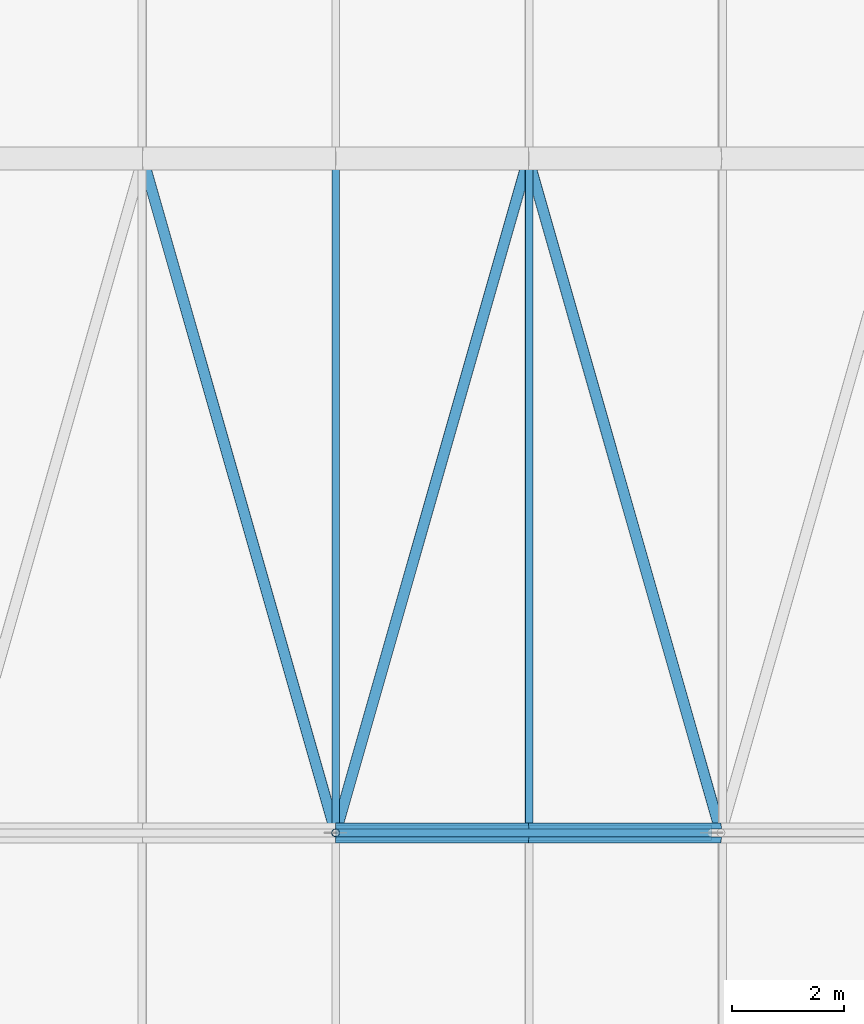
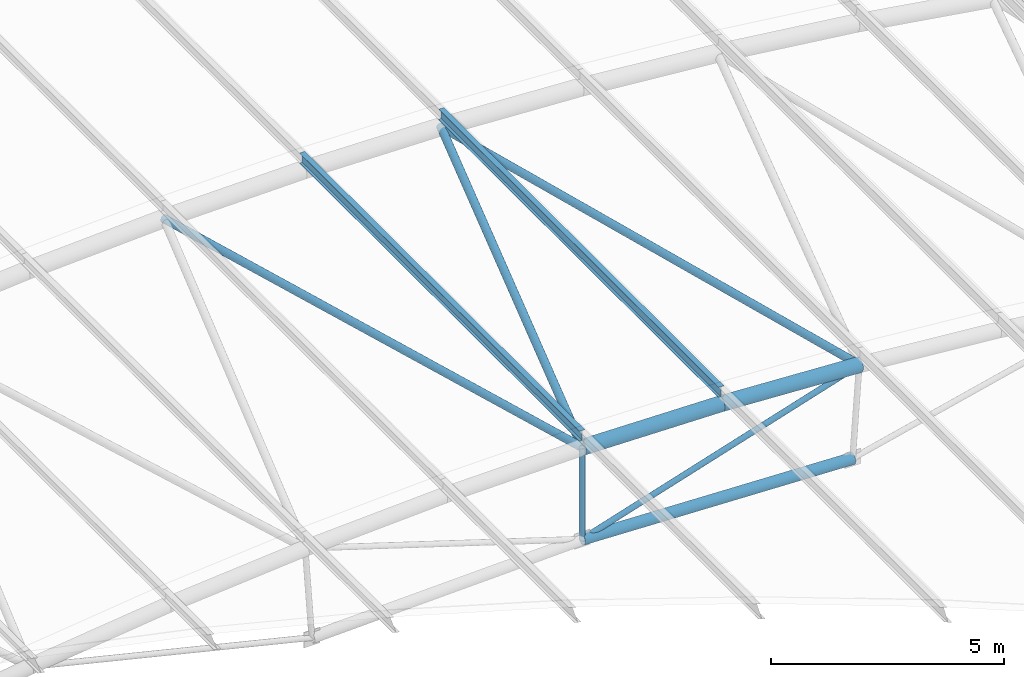
# One storey, part 8 of 91: 10 members.
"""IFC4 building model written with IfcOpenShell, lengths in metres."""

from ifc_helpers import new_model, si_unit, direction, frame, origin, origin_2d, place, context, subcontext, project, spatial, hollow_circle, i_section, extrude, material, material_profile, profile_set, type_object, element, save


model = new_model("IFC4")

# Units and contexts
model_context = context("Model", 3, precision=1e-05, world=origin(), true_north=direction((0.0, 1.0)))
body_context = subcontext(model_context, "Body", "Model", "MODEL_VIEW")
ifc_project = project(units=[si_unit("LENGTHUNIT", "METRE"), si_unit("AREAUNIT", "SQUARE_METRE"), si_unit("VOLUMEUNIT", "CUBIC_METRE"), si_unit("PLANEANGLEUNIT", "RADIAN"), si_unit("MASSUNIT", "GRAM", prefix="KILO")], contexts=[model_context])

# Site, building, storey
site_placement = place(None, origin())
site = spatial("IfcSite", under=ifc_project, at=site_placement, CompositionType="ELEMENT")
building_placement = place(site_placement, origin())
building = spatial("IfcBuilding", under=site, at=building_placement, Name="Ravi Spectrum Wholesale Market", CompositionType="ELEMENT")
storey_placement = place(building_placement, frame((0.0, 0.0, 16.199951171875)))
storey = spatial("IfcBuildingStorey", under=building, at=storey_placement, Name="ROOF PLANT LEVEL", CompositionType="ELEMENT", Elevation=16.199951171875)

# Members
ifc_material_1 = material(Name="Steel S355", Category="steel")
ifc_material_profile_1 = material_profile(ifc_material_1, hollow_circle(Radius=0.06982421875, WallThickness=0.0048828125, at=origin_2d()))
ifc_profile_set_1 = profile_set([ifc_material_profile_1], Name="Steel S355")
member_type_1 = type_object("IfcMemberType", Name="CHS 139.7x5 brace", PredefinedType="BRACE", material=ifc_profile_set_1)
member_1_placement = place(storey_placement, frame((76.857177734375, 66.0, 2.788818359375), z_axis=(-0.953666273238, 0.0, -0.300866480833), x_axis=(0.0, -1.0, 0.0)))
element("IfcMember", 1, at=member_1_placement, inside=storey, type_object=member_type_1, Name="H1-MB-L02-314", PredefinedType="BRACE", context=body_context, shape_type="SweptSolid", body=[
    extrude(hollow_circle(Radius=0.06982421875, WallThickness=0.0048828125, at=origin_2d()), origin(), (0.0, 0.0, 1.0), 7.1904296875),
])
ifc_material_2 = material(Name="Steel S355", Category="steel")
ifc_material_profile_2 = material_profile(ifc_material_2, hollow_circle(Radius=0.06982421875, WallThickness=0.0048828125, at=origin_2d()))
ifc_profile_set_2 = profile_set([ifc_material_profile_2], Name="Steel S355")
member_type_2 = type_object("IfcMemberType", Name="CHS 139.7x5 post", PredefinedType="POST", material=ifc_profile_set_2)
member_2_placement = place(storey_placement, frame((70.0, 66.0, 3.025390625), z_axis=(0.0, 0.0, -1.0), x_axis=(1.0, 0.0, 0.0)))
element("IfcMember", 2, at=member_2_placement, inside=storey, type_object=member_type_2, Name="H1-MB-L02-303", PredefinedType="POST", context=body_context, shape_type="SweptSolid", body=[
    extrude(hollow_circle(Radius=0.06982421875, WallThickness=0.0048828125, at=origin_2d()), origin(), (0.0, 0.0, 1.0), 2.39990234375),
])
ifc_material_3 = material(Name="Steel S355", Category="steel")
ifc_material_profile_3 = material_profile(ifc_material_3, hollow_circle(Radius=0.096923828125, WallThickness=0.00634765625, at=origin_2d()))
ifc_profile_set_3 = profile_set([ifc_material_profile_3], Name="Steel S355")
member_type_3 = type_object("IfcMemberType", Name="CHS 193.7x6.3 brace", PredefinedType="BRACE", material=ifc_profile_set_3)
for number, where, z_axis, x_axis, name in (
    (3, (66.5703125, 78.0, 2.94091796875), (0.274797508773, -0.961478299488, 0.006768218824), (0.961500322321, 0.274803803059, 0.0), "H1-MB-L02-1619"),
    (4, (70.0, 66.0, 3.025390625), (0.274797508773, 0.961478299488, -0.006768218824), (-0.961500322321, 0.274803803059, 0.0), "H1-MB-L02-1620"),
    (5, (73.4296875, 78.0, 2.94091796875), (0.274620635621, -0.961475424321, -0.012186669705), (0.961546828996, 0.274641030523, 0.0), "H1-MB-L02-1621"),
):
    element("IfcMember", number, at=place(storey_placement, frame(where, z_axis=z_axis, x_axis=x_axis)), inside=storey, type_object=member_type_3, Name=name, PredefinedType="BRACE", context=body_context, shape_type="SweptSolid", body=[
        extrude(hollow_circle(Radius=0.096923828125, WallThickness=0.00634765625, at=origin_2d()), origin(), (0.0, 0.0, 1.0), 12.480712890625),
    ])
ifc_material_4 = material(Name="Steel S355", Category="steel")
ifc_material_profile_4 = material_profile(ifc_material_4, hollow_circle(Radius=0.136474609375, WallThickness=0.010009765625, at=origin_2d()))
ifc_profile_set_4 = profile_set([ifc_material_profile_4], Name="Steel S355")
member_type_4 = type_object("IfcMemberType", Name="CHS 273x10 chord", PredefinedType="CHORD", material=ifc_profile_set_4)
member_3_placement = place(storey_placement, frame((70.0, 66.0, 0.62548828125), z_axis=(0.999404959621, 0.0, -0.034492414878), x_axis=(0.0, 1.0, 0.0)))
element("IfcMember", 6, at=member_3_placement, inside=storey, type_object=member_type_4, Name="H1-MB-L02-292", PredefinedType="CHORD", context=body_context, shape_type="SweptSolid", body=[
    extrude(hollow_circle(Radius=0.136474609375, WallThickness=0.010009765625, at=origin_2d()), origin(), (0.0, 0.0, 1.0), 6.69580078125),
])
ifc_material_5 = material(Name="Steel S355", Category="steel")
ifc_material_profile_5 = material_profile(ifc_material_5, hollow_circle(Radius=0.177734375, WallThickness=0.012451171875, at=origin_2d()))
ifc_profile_set_5 = profile_set([ifc_material_profile_5], Name="Steel S355")
member_type_5 = type_object("IfcMemberType", Name="CHS 355.6x12.5 chord", PredefinedType="CHORD", material=ifc_profile_set_5)
for number, where, z_axis, x_axis, name in (
    (7, (70.0, 66.0, 3.025390625), (0.99985173868, 0.0, -0.017219194475), (0.0, 1.0, 0.0), "H1-MB-L02-274"),
    (8, (73.4306640625, 66.0, 2.96630859375), (0.998661121681, 0.0, -0.051729721087), (0.0, 1.0, 0.0), "H1-MB-L02-275"),
):
    element("IfcMember", number, at=place(storey_placement, frame(where, z_axis=z_axis, x_axis=x_axis)), inside=storey, type_object=member_type_5, Name=name, PredefinedType="CHORD", context=body_context, shape_type="SweptSolid", body=[
        extrude(hollow_circle(Radius=0.177734375, WallThickness=0.012451171875, at=origin_2d()), origin(), (0.0, 0.0, 1.0), 3.43115234375),
    ])
ifc_material_6 = material(Name="Steel S355", Category="steel")
ifc_material_profile_6 = material_profile(ifc_material_6, i_section(OverallWidth=0.135009765625, OverallDepth=0.27001953125, WebThickness=0.006591796875, FlangeThickness=0.01025390625, at=origin_2d()))
ifc_profile_set_6 = profile_set([ifc_material_profile_6], Name="Steel S355")
member_type_6 = type_object("IfcMemberType", Name="IPE 270 purlin", PredefinedType="PURLIN", material=ifc_profile_set_6)
for number, where, z_axis, x_axis, name in (
    (9, (70.0, 66.0, 3.338134765625), (0.0, 1.0, 0.0), (-1.0, 0.0, 0.0), "H1-MB-L02-1321"),
    (10, (73.44140625, 66.0, 3.27880859375), (0.0, 1.0, 0.0), (-0.999404978812, 0.0, 0.034491858836), "H1-MB-L02-1322"),
):
    element("IfcMember", number, at=place(storey_placement, frame(where, z_axis=z_axis, x_axis=x_axis)), inside=storey, type_object=member_type_6, Name=name, PredefinedType="PURLIN", context=body_context, shape_type="SweptSolid", body=[
        extrude(i_section(OverallWidth=0.135009765625, OverallDepth=0.27001953125, WebThickness=0.006591796875, FlangeThickness=0.01025390625, at=origin_2d()), origin(), (0.0, 0.0, 1.0), 12.0),
    ])

save(model, "model.ifc")
